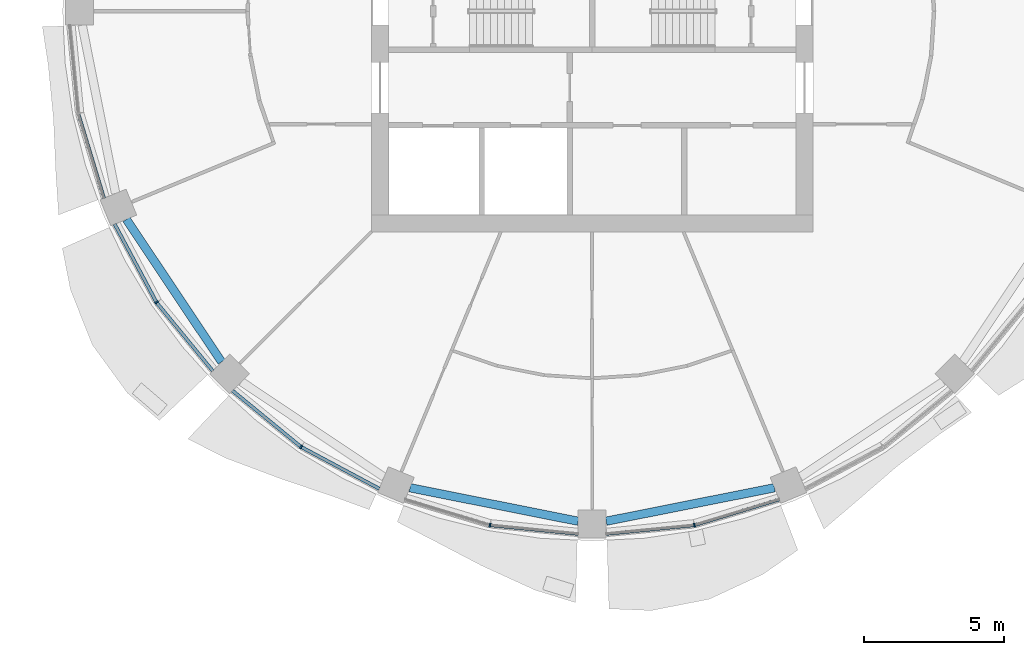
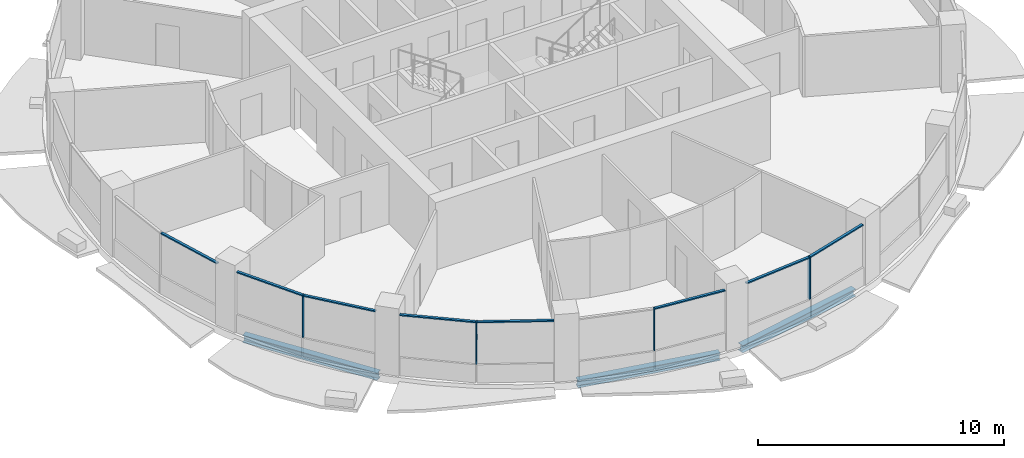
# One storey, part 2 of 14: 12 members, 3 beams, 5 elements without a shape of their own.
"""IFC4 building model written with IfcOpenShell, lengths in metres."""

import ifcopenshell
import ifcopenshell.guid

model = None  # the IFC model being written
_history = None  # IfcOwnerHistory: only IFC2X3 demands one
_inside = {}  # id of a spatial element -> (the spatial element, [elements in it])
_under = {}  # id of a project, library or spatial element -> (it, [spatial elements below it])
_declared = {}  # id of a project -> (the project, [libraries it declares])
_typed = {}  # id of a type object -> (the type object, [elements of that type])
_made_of = {}  # id of a material, layer set ... -> (it, [elements and type objects made of it])


def new_model(schema):
    """Start an empty IFC model of exactly this schema.

    Asked for "IFC4X3", IfcOpenShell would pick the latest addendum, in which some entities
    have other attributes; the version numbers below select the first issue.
    IFC2X3 requires an IfcOwnerHistory on every rooted entity: one is made here for all.
    """
    global model, _history
    if schema == "IFC4X3":
        model = ifcopenshell.file(schema_version=(4, 3, 0, 0))
    else:
        model = ifcopenshell.file(schema=schema)
    _inside.clear()
    _under.clear()
    _declared.clear()
    _typed.clear()
    _made_of.clear()
    _history = None
    if model.schema == "IFC2X3":
        org = make("IfcOrganization", Name="unknown")
        user = make(
            "IfcPersonAndOrganization",
            ThePerson=make("IfcPerson", FamilyName="unknown"),
            TheOrganization=org,
        )
        app = make(
            "IfcApplication",
            ApplicationDeveloper=org,
            Version="unknown",
            ApplicationFullName="unknown",
            ApplicationIdentifier="unknown",
        )
        _history = make(
            "IfcOwnerHistory",
            OwningUser=user,
            OwningApplication=app,
            ChangeAction="ADDED",
            CreationDate=0,
        )
    return model


def make(cls, **values):
    """One entity of the class cls with the attributes given. An attribute that is None is left unset."""
    return model.create_entity(
        cls, **{name: value for name, value in values.items() if value is not None}
    )


def rooted(cls, **values):
    """An entity with a GlobalId (a new one), such as an element, a storey or a relation."""
    return make(cls, GlobalId=ifcopenshell.guid.new(), OwnerHistory=_history, **values)


def si_unit(unit_type, name, prefix=None):
    """IfcSIUnit, for example si_unit("LENGTHUNIT", "METRE", prefix="MILLI")."""
    return make("IfcSIUnit", UnitType=unit_type, Prefix=prefix, Name=name)


def assignment(units):
    """IfcUnitAssignment: the units of a project."""
    return None if units is None else make("IfcUnitAssignment", Units=units)


def point(xyz):
    """IfcCartesianPoint."""
    return None if xyz is None else make("IfcCartesianPoint", Coordinates=xyz)


def direction(xyz):
    """IfcDirection."""
    return None if xyz is None else make("IfcDirection", DirectionRatios=xyz)


def frame(location, z_axis=None, x_axis=None):
    """IfcAxis2Placement3D, a coordinate frame: its origin and axes. An axis left out is left unset."""
    return make(
        "IfcAxis2Placement3D",
        Location=point(location),
        Axis=direction(z_axis),
        RefDirection=direction(x_axis),
    )


def frame_2d(location, x_axis=None):
    """IfcAxis2Placement2D, a coordinate frame in the plane: its origin and x axis."""
    return make(
        "IfcAxis2Placement2D", Location=point(location), RefDirection=direction(x_axis)
    )


def origin():
    """The frame at (0, 0, 0) with its axes left unset."""
    return frame((0.0, 0.0, 0.0))


def origin_2d():
    """The frame at (0, 0) in the plane with its x axis left unset."""
    return frame_2d((0.0, 0.0))


def place(relative_to, where):
    """IfcLocalPlacement: puts the frame where relative to a parent placement (None: the world)."""
    return make(
        "IfcLocalPlacement", PlacementRelTo=relative_to, RelativePlacement=where
    )


def context(
    kind, dimensions, precision=None, world=None, true_north=None, identifier=None
):
    """IfcGeometricRepresentationContext, for example the 3D "Model" context."""
    return make(
        "IfcGeometricRepresentationContext",
        ContextIdentifier=identifier,
        ContextType=kind,
        CoordinateSpaceDimension=dimensions,
        Precision=precision,
        WorldCoordinateSystem=world,
        TrueNorth=true_north,
    )


def subcontext(parent, identifier, kind, view, scale=None):
    """IfcGeometricRepresentationSubContext, for example "Body" below "Model"."""
    return make(
        "IfcGeometricRepresentationSubContext",
        ContextIdentifier=identifier,
        ContextType=kind,
        ParentContext=parent,
        TargetScale=scale,
        TargetView=view,
    )


def project(units=None, contexts=None):
    """IfcProject with its units and contexts."""
    return rooted(
        "IfcProject",
        Name="project",
        RepresentationContexts=contexts,
        UnitsInContext=assignment(units),
    )


def spatial(cls, under=None, at=None, **own):
    """A site, building, storey or space (cls), placed at a placement, below another one or the project."""
    s = rooted(cls, ObjectPlacement=at, **own)
    if under is not None:
        _under.setdefault(under.id(), (under, []))[1].append(s)
    return s


def profile(cls, at=None, kind="AREA", **sizes):
    """A parametric profile (cls). Its sizes go by their IFC names, for example OverallWidth=200.0."""
    return make(cls, ProfileType=kind, Position=at, **sizes)


def rectangle(**sizes):
    """IfcRectangleProfileDef."""
    return profile("IfcRectangleProfileDef", **sizes)


def i_section(**sizes):
    """IfcIShapeProfileDef."""
    return profile("IfcIShapeProfileDef", **sizes)


def extrude(swept, where, along, depth):
    """IfcExtrudedAreaSolid: the profile swept, set in the frame where, extruded along a direction by depth."""
    return make(
        "IfcExtrudedAreaSolid",
        SweptArea=swept,
        Position=where,
        ExtrudedDirection=direction(along),
        Depth=depth,
    )


def shape(context_of_items, identifier, shape_type, items):
    """IfcShapeRepresentation: the items that make up one representation, for example the "Body"."""
    return make(
        "IfcShapeRepresentation",
        ContextOfItems=context_of_items,
        RepresentationIdentifier=identifier,
        RepresentationType=shape_type,
        Items=items,
    )


def material(Name=None, Category=None):
    """IfcMaterial."""
    return make("IfcMaterial", Name=Name, Category=Category)


def material_profile(
    of_material, cross_section, Name=None, Category=None, Priority=None
):
    """IfcMaterialProfile: a cross section and its material."""
    return make(
        "IfcMaterialProfile",
        Name=Name,
        Material=of_material,
        Profile=cross_section,
        Priority=Priority,
        Category=Category,
    )


def profile_set(profiles, Name=None, composite=None):
    """IfcMaterialProfileSet."""
    return make(
        "IfcMaterialProfileSet",
        Name=Name,
        MaterialProfiles=profiles,
        CompositeProfile=composite,
    )


def made_of(thing, what):
    """Note that an element or type object is made of a material, layer set ...; save() writes the relation."""
    if what is not None:
        _made_of.setdefault(what.id(), (what, []))[1].append(thing)
    return thing


def type_object(cls, material=None, **own):
    """A type object (cls), such as IfcWallType, which elements share."""
    return made_of(rooted(cls, **own), material)


def element(
    cls,
    number,
    at=None,
    inside=None,
    cuts=None,
    type_object=None,
    material=None,
    context=None,
    identifier="Body",
    shape_type=None,
    held_by="IfcProductDefinitionShape",
    body=None,
    shapes=None,
    **own,
):
    """One element of the class cls, such as IfcWall. Its Tag is "e" and its number.

    at: its placement. inside: the storey or other place that contains it. cuts: it is an
    opening in that element (IfcRelVoidsElement). A single representation is given by context,
    identifier, shape_type and body (its items); several are given by shapes. held_by: the class
    of the entity that holds the representations. save() writes the other relations.
    """
    e = rooted(cls, Tag="e%d" % number, ObjectPlacement=at, **own)
    if body is not None:
        shapes = [shape(context, identifier, shape_type, body)]
    if shapes is not None:
        e.Representation = make(held_by, Representations=shapes)
    if inside is not None:
        _inside.setdefault(inside.id(), (inside, []))[1].append(e)
    if cuts is not None:
        rooted(
            "IfcRelVoidsElement", RelatingBuildingElement=cuts, RelatedOpeningElement=e
        )
    if type_object is not None:
        _typed.setdefault(type_object.id(), (type_object, []))[1].append(e)
    return made_of(e, material)


def aggregate(whole, parts):
    """IfcRelAggregates: a whole, such as a stair, and the parts it consists of."""
    return rooted("IfcRelAggregates", RelatingObject=whole, RelatedObjects=parts)


def save(model, path):
    """Write the relations noted so far, then the file.

    IfcRelAggregates (storeys below a building ...), IfcRelContainedInSpatialStructure (elements
    in a storey), IfcRelDefinesByType, IfcRelAssociatesMaterial and IfcRelDeclares: one each for
    every whole, place, type object, material and project.
    """
    for whole, parts in _under.values():
        aggregate(whole, parts)
    for where, things in _inside.values():
        rooted(
            "IfcRelContainedInSpatialStructure",
            RelatedElements=things,
            RelatingStructure=where,
        )
    for kind, things in _typed.values():
        rooted("IfcRelDefinesByType", RelatedObjects=things, RelatingType=kind)
    for what, things in _made_of.values():
        rooted("IfcRelAssociatesMaterial", RelatedObjects=things, RelatingMaterial=what)
    for by, libraries in _declared.values():
        rooted("IfcRelDeclares", RelatingContext=by, RelatedDefinitions=libraries)
    model.write(path)


model = new_model("IFC4")

# Units and contexts
model_context = context("Model", 3, precision=1e-05, world=origin(), true_north=direction((0.0, 1.0)))
body_context = subcontext(model_context, "Body", "Model", "MODEL_VIEW")
ifc_project = project(units=[si_unit("LENGTHUNIT", "METRE"), si_unit("AREAUNIT", "SQUARE_METRE"), si_unit("VOLUMEUNIT", "CUBIC_METRE"), si_unit("PLANEANGLEUNIT", "RADIAN"), si_unit("MASSUNIT", "GRAM", prefix="KILO")], contexts=[model_context])

# Site, building, storey
site_placement = place(None, origin())
site = spatial("IfcSite", under=ifc_project, at=site_placement, CompositionType="ELEMENT")
building_placement = place(site_placement, origin())
building = spatial("IfcBuilding", under=site, at=building_placement, Name="Polderwave Tower", CompositionType="ELEMENT")
storey_placement = place(building_placement, frame((0.0, 0.0, 144.39990234375)))
storey = spatial("IfcBuildingStorey", under=building, at=storey_placement, Name="L38", CompositionType="ELEMENT", Elevation=144.39990234375)

# Curtain wall, member
ifc_material_1 = material(Name="Aluminium 6063-T6 and glass", Category="aluminium")
curtain_wall_type = type_object("IfcCurtainWallType", Name="Office ribbon glazing wall", PredefinedType="NOTDEFINED", material=ifc_material_1)
curtain_wall_1_placement = place(storey_placement, origin())
curtain_wall_1 = element("IfcCurtainWall", 1, at=curtain_wall_1_placement, inside=storey, type_object=curtain_wall_type, Name="CW3 L38 09", PredefinedType="NOTDEFINED")
ifc_material_2 = material(Name="Aluminium 6063-T6", Category="aluminium")
ifc_material_profile_1 = material_profile(ifc_material_2, rectangle(XDim=0.139892578125, YDim=0.054931640625, at=origin_2d()), Name="AL 55x140")
ifc_profile_set_1 = profile_set([ifc_material_profile_1], Name="Aluminium 6063-T6")
member_type_1 = type_object("IfcMemberType", Name="Office ribbon glazing mullion 55x140", PredefinedType="MULLION", material=ifc_profile_set_1)
member_1_placement = place(storey_placement, frame((-15.548095703125, -10.388916015625, 0.900146484375), z_axis=(0.0, 0.0, 1.0), x_axis=(0.831508396395, 0.555512184136, 0.0)))
member_1 = element("IfcMember", 2, at=member_1_placement, type_object=member_type_1, Name="CW3 mullion 1", PredefinedType="MULLION", context=body_context, shape_type="SweptSolid", body=[
    extrude(rectangle(XDim=0.139892578125, YDim=0.054931640625, at=origin_2d()), origin(), (0.0, 0.0, 1.0), 2.099853515625),
])

curtain_wall_2_placement = place(storey_placement, origin())
curtain_wall_2 = element("IfcCurtainWall", 3, at=curtain_wall_2_placement, inside=storey, type_object=curtain_wall_type, Name="CW3 L38 10", PredefinedType="NOTDEFINED")
member_2_placement = place(storey_placement, frame((-10.388916015625, -15.548095703125, 0.900146484375), z_axis=(0.0, 0.0, 1.0), x_axis=(0.555512184136, 0.831508396395, 0.0)))
member_2 = element("IfcMember", 4, at=member_2_placement, type_object=member_type_1, Name="CW3 mullion 1", PredefinedType="MULLION", context=body_context, shape_type="SweptSolid", body=[
    extrude(rectangle(XDim=0.139892578125, YDim=0.054931640625, at=origin_2d()), origin(), (0.0, 0.0, 1.0), 2.099853515625),
])

curtain_wall_3_placement = place(storey_placement, origin())
curtain_wall_3 = element("IfcCurtainWall", 5, at=curtain_wall_3_placement, inside=storey, type_object=curtain_wall_type, Name="CW3 L38 11", PredefinedType="NOTDEFINED")
member_3_placement = place(storey_placement, frame((-3.64794921875, -18.341064453125, 0.900146484375), z_axis=(0.0, 0.0, 1.0), x_axis=(0.195196452055, 0.980764163857, 0.0)))
member_3 = element("IfcMember", 6, at=member_3_placement, type_object=member_type_1, Name="CW3 mullion 1", PredefinedType="MULLION", context=body_context, shape_type="SweptSolid", body=[
    extrude(rectangle(XDim=0.139892578125, YDim=0.054931640625, at=origin_2d()), origin(), (0.0, 0.0, 1.0), 2.099853515625),
])

curtain_wall_4_placement = place(storey_placement, origin())
curtain_wall_4 = element("IfcCurtainWall", 7, at=curtain_wall_4_placement, inside=storey, type_object=curtain_wall_type, Name="CW3 L38 12", PredefinedType="NOTDEFINED")
member_4_placement = place(storey_placement, frame((3.64794921875, -18.341064453125, 0.900146484375), z_axis=(0.0, 0.0, 1.0), x_axis=(-0.195196452055, 0.980764163857, 0.0)))
member_4 = element("IfcMember", 8, at=member_4_placement, type_object=member_type_1, Name="CW3 mullion 1", PredefinedType="MULLION", context=body_context, shape_type="SweptSolid", body=[
    extrude(rectangle(XDim=0.139892578125, YDim=0.054931640625, at=origin_2d()), origin(), (0.0, 0.0, 1.0), 2.099853515625),
])

curtain_wall_5_placement = place(storey_placement, origin())
curtain_wall_5 = element("IfcCurtainWall", 9, at=curtain_wall_5_placement, inside=storey, type_object=curtain_wall_type, Name="CW3 L38 08", PredefinedType="NOTDEFINED")
ifc_material_profile_2 = material_profile(ifc_material_2, rectangle(XDim=0.1201171875, YDim=0.06005859375, at=origin_2d()), Name="AL 60x120")
ifc_profile_set_2 = profile_set([ifc_material_profile_2], Name="Aluminium 6063-T6")
member_type_2 = type_object("IfcMemberType", Name="Office ribbon glazing transom 60x120", PredefinedType="USERDEFINED", material=ifc_profile_set_2)
member_5_placement = place(storey_placement, frame((-18.3330078125, -3.67431640625, 2.97021484375), z_axis=(0.290467601512, -0.956884827172, 0.0), x_axis=(0.956884827172, 0.290467601512, 0.0)))
member_5 = element("IfcMember", 10, at=member_5_placement, type_object=member_type_2, Name="CW3 transom 2", ObjectType="TRANSOM", PredefinedType="USERDEFINED", context=body_context, shape_type="SweptSolid", body=[
    extrude(rectangle(XDim=0.1201171875, YDim=0.06005859375, at=origin_2d()), origin(), (0.0, 0.0, 1.0), 3.135986328125),
])
aggregate(curtain_wall_5, [member_5])

# Member
member_6_placement = place(storey_placement, frame((-17.0400390625, -7.59912109375, 2.97021484375), z_axis=(0.471581867996, -0.881822284691, 0.0), x_axis=(0.881822284691, 0.471581867996, 0.0)))
member_6 = element("IfcMember", 11, at=member_6_placement, type_object=member_type_2, Name="CW3 transom 1", ObjectType="TRANSOM", PredefinedType="USERDEFINED", context=body_context, shape_type="SweptSolid", body=[
    extrude(rectangle(XDim=0.1201171875, YDim=0.06005859375, at=origin_2d()), origin(), (0.0, 0.0, 1.0), 3.13623046875),
])

member_7_placement = place(storey_placement, frame((-15.530517578125, -10.410400390625, 2.97021484375), z_axis=(0.634153141657, -0.773207470816, 0.0), x_axis=(0.773207470816, 0.634153141657, 0.0)))
member_7 = element("IfcMember", 12, at=member_7_placement, type_object=member_type_2, Name="CW3 transom 2", ObjectType="TRANSOM", PredefinedType="USERDEFINED", context=body_context, shape_type="SweptSolid", body=[
    extrude(rectangle(XDim=0.1201171875, YDim=0.06005859375, at=origin_2d()), origin(), (0.0, 0.0, 1.0), 3.1357421875),
])

aggregate(curtain_wall_1, [member_1, member_6, member_7])

member_8_placement = place(storey_placement, frame((-12.8349609375, -13.5419921875, 2.97021484375), z_axis=(0.773207470816, -0.634153141657, 0.0), x_axis=(0.634153141657, 0.773207470816, 0.0)))
member_8 = element("IfcMember", 13, at=member_8_placement, type_object=member_type_2, Name="CW3 transom 1", ObjectType="TRANSOM", PredefinedType="USERDEFINED", context=body_context, shape_type="SweptSolid", body=[
    extrude(rectangle(XDim=0.1201171875, YDim=0.06005859375, at=origin_2d()), origin(), (0.0, 0.0, 1.0), 3.1357421875),
])

member_9_placement = place(storey_placement, frame((-10.36474609375, -15.56103515625, 2.97021484375), z_axis=(0.881822284691, -0.471581867996, 0.0), x_axis=(0.471581867996, 0.881822284691, 0.0)))
member_9 = element("IfcMember", 14, at=member_9_placement, type_object=member_type_2, Name="CW3 transom 2", ObjectType="TRANSOM", PredefinedType="USERDEFINED", context=body_context, shape_type="SweptSolid", body=[
    extrude(rectangle(XDim=0.1201171875, YDim=0.06005859375, at=origin_2d()), origin(), (0.0, 0.0, 1.0), 3.13623046875),
])

aggregate(curtain_wall_2, [member_2, member_8, member_9])

member_10_placement = place(storey_placement, frame((-3.62060546875, -18.34375, 2.97021484375), z_axis=(0.995191689442, -0.097946420382, 0.0), x_axis=(0.097946420382, 0.995191689442, 0.0)))
member_10 = element("IfcMember", 15, at=member_10_placement, type_object=member_type_2, Name="CW3 transom 2", ObjectType="TRANSOM", PredefinedType="USERDEFINED", context=body_context, shape_type="SweptSolid", body=[
    extrude(rectangle(XDim=0.1201171875, YDim=0.06005859375, at=origin_2d()), origin(), (0.0, 0.0, 1.0), 3.1357421875),
])

aggregate(curtain_wall_3, [member_3, member_10])

member_11_placement = place(storey_placement, frame((0.5, -18.65087890625, 2.97021484375), z_axis=(0.995191689442, 0.097946420382, 0.0), x_axis=(-0.097946420382, 0.995191689442, 0.0)))
member_11 = element("IfcMember", 16, at=member_11_placement, type_object=member_type_2, Name="CW3 transom 1", ObjectType="TRANSOM", PredefinedType="USERDEFINED", context=body_context, shape_type="SweptSolid", body=[
    extrude(rectangle(XDim=0.1201171875, YDim=0.06005859375, at=origin_2d()), origin(), (0.0, 0.0, 1.0), 3.1357421875),
])

member_12_placement = place(storey_placement, frame((3.67431640625, -18.3330078125, 2.97021484375), z_axis=(0.956884827172, 0.290467601512, 0.0), x_axis=(-0.290467601512, 0.956884827172, 0.0)))
member_12 = element("IfcMember", 17, at=member_12_placement, type_object=member_type_2, Name="CW3 transom 2", ObjectType="TRANSOM", PredefinedType="USERDEFINED", context=body_context, shape_type="SweptSolid", body=[
    extrude(rectangle(XDim=0.1201171875, YDim=0.06005859375, at=origin_2d()), origin(), (0.0, 0.0, 1.0), 3.135986328125),
])

aggregate(curtain_wall_4, [member_4, member_11, member_12])

# Beams
ifc_material_3 = material(Name="Steel S355", Category="steel")
ifc_material_profile_3 = material_profile(ifc_material_3, i_section(OverallWidth=0.300048828125, OverallDepth=0.360107421875, WebThickness=0.012451171875, FlangeThickness=0.0224609375, at=origin_2d()), Name="HE 360 B")
ifc_profile_set_3 = profile_set([ifc_material_profile_3], Name="Steel S355")
beam_type = type_object("IfcBeamType", Name="RING BEAM HE 360 B", PredefinedType="BEAM", material=ifc_profile_set_3)
beam_placement = place(storey_placement, frame((-16.623779296875, -7.427001953125, -0.52978515625), z_axis=(0.555565167003, -0.831472997284, 0.0), x_axis=(0.831472997284, 0.555565167003, 0.0)))
element("IfcBeam", 18, at=beam_placement, inside=storey, type_object=beam_type, Name="ST-RB-L38-09", PredefinedType="BEAM", context=body_context, shape_type="SweptSolid", body=[
    extrude(i_section(OverallWidth=0.300048828125, OverallDepth=0.360107421875, WebThickness=0.012451171875, FlangeThickness=0.0224609375, at=origin_2d()), origin(), (0.0, 0.0, 1.0), 6.12060546875),
])
for number, where, z_axis, x_axis, name in (
    (19, (-6.503173828125, -17.00634765625, -0.52978515625), (0.980785709335, -0.195088165617, 0.0), (0.195088165617, 0.980785709335, 0.0), "ST-RB-L38-11"),
    (20, (0.5, -18.200439453125, -0.52978515625), (0.980785709335, 0.195088165617, 0.0), (-0.195088165617, 0.980785709335, 0.0), "ST-RB-L38-12"),
):
    element("IfcBeam", number, at=place(storey_placement, frame(where, z_axis=z_axis, x_axis=x_axis)), inside=storey, type_object=beam_type, Name=name, PredefinedType="BEAM", context=body_context, shape_type="SweptSolid", body=[
        extrude(i_section(OverallWidth=0.300048828125, OverallDepth=0.360107421875, WebThickness=0.012451171875, FlangeThickness=0.0224609375, at=origin_2d()), origin(), (0.0, 0.0, 1.0), 6.120849609375),
    ])

save(model, "model.ifc")
